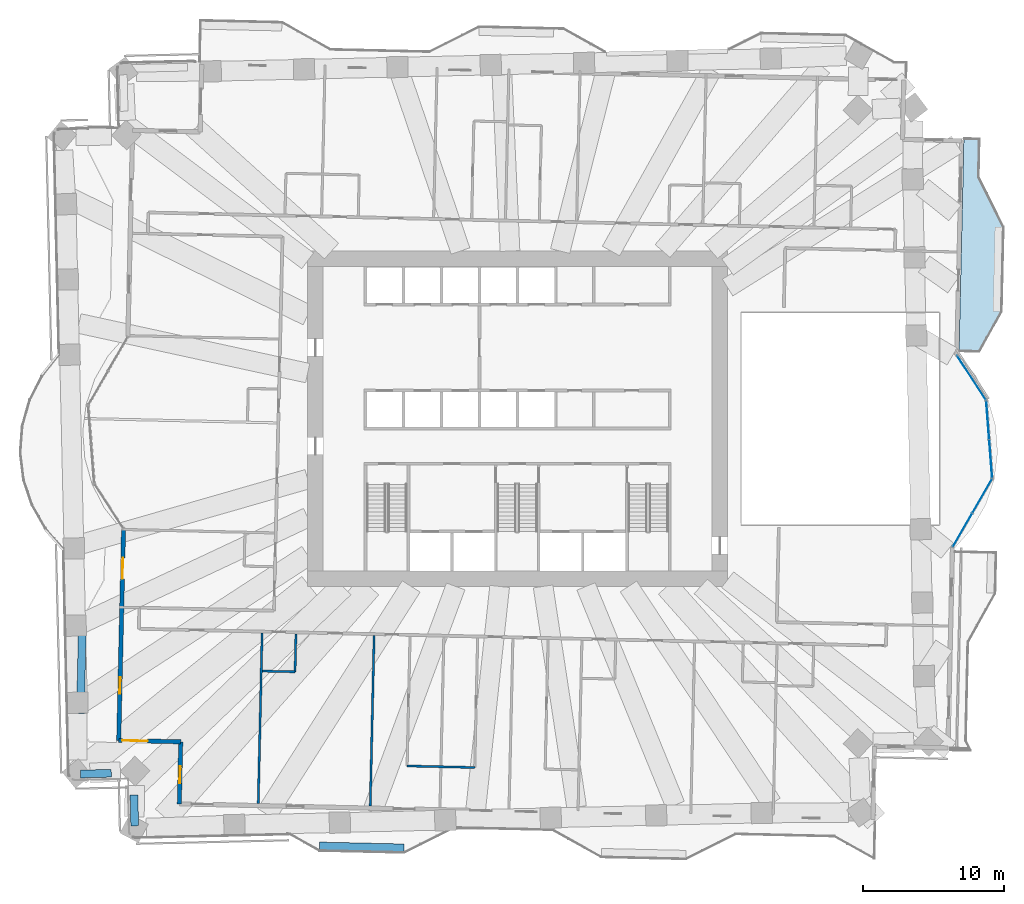
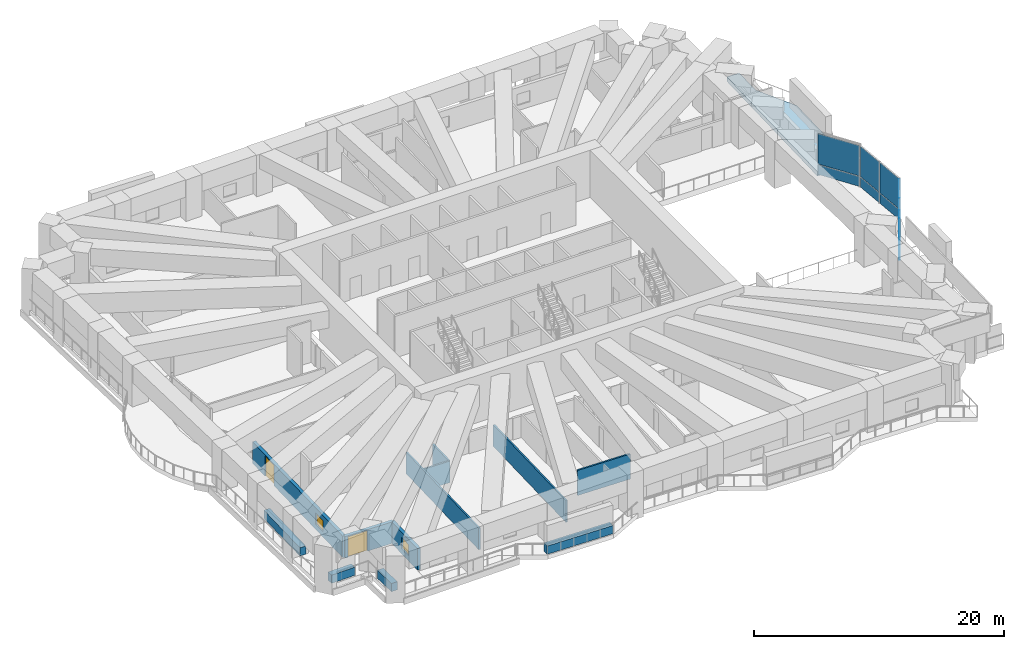
# One storey, part 8 of 20: 12 walls, 10 plates, 2 doors, 2 windows, 1 slab, 4 openings, 3 elements without a shape of their own.
"""IFC4 building model written with IfcOpenShell, lengths in metres."""

from ifc_helpers import new_model, si_unit, direction, frame, frame_2d, origin, origin_2d, place, context, subcontext, project, spatial, polyline, rectangle, outline, extrude, material, layer, layer_set, type_object, element, fill, aggregate, save


model = new_model("IFC4")

# Units and contexts
model_context = context("Model", 3, precision=1e-05, world=origin(), true_north=direction((0.0, 1.0)))
body_context = subcontext(model_context, "Body", "Model", "MODEL_VIEW")
ifc_project = project(units=[si_unit("LENGTHUNIT", "METRE"), si_unit("AREAUNIT", "SQUARE_METRE"), si_unit("VOLUMEUNIT", "CUBIC_METRE"), si_unit("PLANEANGLEUNIT", "RADIAN"), si_unit("MASSUNIT", "GRAM", prefix="KILO")], contexts=[model_context])

# Site, building, storey
site_placement = place(None, origin())
site = spatial("IfcSite", under=ifc_project, at=site_placement, CompositionType="ELEMENT")
building_placement = place(site_placement, origin())
building = spatial("IfcBuilding", under=site, at=building_placement, Name="Mangrove Gate Tower", CompositionType="ELEMENT")
storey_placement = place(building_placement, frame((0.0, 0.0, 52.10009765625)))
storey = spatial("IfcBuildingStorey", under=building, at=storey_placement, Name="L12", CompositionType="ELEMENT", Elevation=52.10009765625)

# Slab
ifc_material_1 = material(Name="Porcelain tile")
ifc_layer_1 = layer(ifc_material_1, 0.02001953125, Name="Tile finish")
ifc_material_2 = material(Name="Cement sand screed")
ifc_layer_2 = layer(ifc_material_2, 0.0400390625, Name="Screed laid to falls")
ifc_material_3 = material(Name="Bituminous waterproofing membrane")
ifc_layer_3 = layer(ifc_material_3, 0.00390625, Name="Waterproofing")
ifc_material_4 = material(Name="Concrete C40/50", Category="concrete")
ifc_layer_4 = layer(ifc_material_4, 0.340087890625, Name="Balcony structural slab")
ifc_material_5 = material(Name="Limestone", Category="masonry")
ifc_layer_5 = layer(ifc_material_5, 0.01611328125, Name="Soffit lining")
ifc_layer_set_1 = layer_set([ifc_layer_1, ifc_layer_2, ifc_layer_3, ifc_layer_4, ifc_layer_5], Name="Balcony slab 420 C40/50")
slab_type = type_object("IfcSlabType", Name="Balcony slab 420 C40/50", PredefinedType="FLOOR", material=ifc_layer_set_1)
slab_placement = place(storey_placement, frame((0.0, 0.0, -0.420166015625)))
element("IfcSlab", 1, at=slab_placement, inside=storey, type_object=slab_type, Name="BALCONY L12 E1", PredefinedType="FLOOR", context=body_context, shape_type="SweptSolid", body=[
    extrude(outline(polyline([(32.7919921875, 4.76904296875), (34.3759765625, 7.60888671875), (34.512939453125, 13.60693359375), (32.741943359375, 17.14794921875), (32.803955078125, 19.847900390625), (31.6640625, 19.873046875), (31.60302734375, 17.174072265625), (31.52294921875, 13.675048828125), (31.386962890625, 7.677001953125), (31.322021484375, 4.802978515625), (32.7919921875, 4.76904296875)])), origin(), (0.0, 0.0, 1.0), 0.420166015625),
])

# Curtain wall, plates
ifc_material_6 = material(Name="Aluminium and glass curtain wall", Category="aluminium")
curtain_wall_type = type_object("IfcCurtainWallType", Name="Sky-lounge glazing wall", PredefinedType="NOTDEFINED", material=ifc_material_6)
curtain_wall_1_placement = place(storey_placement, origin())
curtain_wall_1 = element("IfcCurtainWall", 2, at=curtain_wall_1_placement, inside=storey, type_object=curtain_wall_type, Name="Sky-lounge glazing E1f1", PredefinedType="NOTDEFINED")
ifc_material_7 = material(Name="Laminated low-e glass", Category="glass")
ifc_layer_6 = layer(ifc_material_7, 0.030029296875)
ifc_layer_set_2 = layer_set([ifc_layer_6], Name="Sky-lounge glazing panel 30")
plate_type = type_object("IfcPlateType", Name="Sky-lounge glazing panel 30", PredefinedType="CURTAIN_PANEL", material=ifc_layer_set_2)
plate_1_placement = place(storey_placement, frame((31.569091796875, -7.90234375, 0.0), z_axis=(0.0, 0.0, 1.0), x_axis=(0.500418160359, 0.865783844145, 0.0)))
plate_1 = element("IfcPlate", 3, at=plate_1_placement, type_object=plate_type, Name="CWK panel 1.1", PredefinedType="CURTAIN_PANEL", context=body_context, shape_type="SweptSolid", body=[
    extrude(rectangle(XDim=2.73095703125, YDim=0.030029296875, at=origin_2d()), origin(), (0.0, 0.0, 1.0), 0.969970703125),
])
plate_2_placement = place(storey_placement, frame((31.569091796875, -7.90234375, 1.030029296875), z_axis=(0.0, 0.0, 1.0), x_axis=(0.500418160359, 0.865783844145, 0.0)))
plate_2 = element("IfcPlate", 4, at=plate_2_placement, type_object=plate_type, Name="CWK panel 1.2", PredefinedType="CURTAIN_PANEL", context=body_context, shape_type="SweptSolid", body=[
    extrude(rectangle(XDim=2.73095703125, YDim=0.030029296875, at=origin_2d()), origin(), (0.0, 0.0, 1.0), 2.9599609375),
])
plate_3_placement = place(storey_placement, frame((32.965576171875, -5.48583984375, 0.0), z_axis=(0.0, 0.0, 1.0), x_axis=(0.500418160359, 0.865783844145, 0.0)))
plate_3 = element("IfcPlate", 5, at=plate_3_placement, type_object=plate_type, Name="CWK panel 2.1", PredefinedType="CURTAIN_PANEL", context=body_context, shape_type="SweptSolid", body=[
    extrude(rectangle(XDim=2.73095703125, YDim=0.030029296875, at=origin_2d()), origin(), (0.0, 0.0, 1.0), 0.969970703125),
])
plate_4_placement = place(storey_placement, frame((32.965576171875, -5.48583984375, 1.030029296875), z_axis=(0.0, 0.0, 1.0), x_axis=(0.500418160359, 0.865783844145, 0.0)))
plate_4 = element("IfcPlate", 6, at=plate_4_placement, type_object=plate_type, Name="CWK panel 2.2", PredefinedType="CURTAIN_PANEL", context=body_context, shape_type="SweptSolid", body=[
    extrude(rectangle(XDim=2.73095703125, YDim=0.030029296875, at=origin_2d()), origin(), (0.0, 0.0, 1.0), 2.9599609375),
])
aggregate(curtain_wall_1, [plate_1, plate_2, plate_3, plate_4])

curtain_wall_2_placement = place(storey_placement, origin())
curtain_wall_2 = element("IfcCurtainWall", 7, at=curtain_wall_2_placement, inside=storey, type_object=curtain_wall_type, Name="Sky-lounge glazing E1f2", PredefinedType="NOTDEFINED")
plate_5_placement = place(storey_placement, frame((33.570556640625, -2.84765625, 0.0), z_axis=(0.0, 0.0, 1.0), x_axis=(-0.077023348212, 0.997029289354, 0.0)))
plate_5 = element("IfcPlate", 8, at=plate_5_placement, type_object=plate_type, Name="CWK panel 1.1", PredefinedType="CURTAIN_PANEL", context=body_context, shape_type="SweptSolid", body=[
    extrude(rectangle(XDim=2.69677734375, YDim=0.030029296875, at=origin_2d()), origin(), (0.0, 0.0, 1.0), 0.969970703125),
])
plate_6_placement = place(storey_placement, frame((33.570556640625, -2.84765625, 1.030029296875), z_axis=(0.0, 0.0, 1.0), x_axis=(-0.077023348212, 0.997029289354, 0.0)))
plate_6 = element("IfcPlate", 9, at=plate_6_placement, type_object=plate_type, Name="CWK panel 1.2", PredefinedType="CURTAIN_PANEL", context=body_context, shape_type="SweptSolid", body=[
    extrude(rectangle(XDim=2.69677734375, YDim=0.030029296875, at=origin_2d()), origin(), (0.0, 0.0, 1.0), 2.9599609375),
])
plate_7_placement = place(storey_placement, frame((33.358154296875, -0.09912109375, 0.0), z_axis=(0.0, 0.0, 1.0), x_axis=(-0.077023348212, 0.997029289354, 0.0)))
plate_7 = element("IfcPlate", 10, at=plate_7_placement, type_object=plate_type, Name="CWK panel 2.1", PredefinedType="CURTAIN_PANEL", context=body_context, shape_type="SweptSolid", body=[
    extrude(rectangle(XDim=2.69677734375, YDim=0.030029296875, at=origin_2d()), origin(), (0.0, 0.0, 1.0), 0.969970703125),
])
plate_8_placement = place(storey_placement, frame((33.358154296875, -0.09912109375, 1.030029296875), z_axis=(0.0, 0.0, 1.0), x_axis=(-0.077023348212, 0.997029289354, 0.0)))
plate_8 = element("IfcPlate", 11, at=plate_8_placement, type_object=plate_type, Name="CWK panel 2.2", PredefinedType="CURTAIN_PANEL", context=body_context, shape_type="SweptSolid", body=[
    extrude(rectangle(XDim=2.69677734375, YDim=0.030029296875, at=origin_2d()), origin(), (0.0, 0.0, 1.0), 2.9599609375),
])
aggregate(curtain_wall_2, [plate_5, plate_6, plate_7, plate_8])

curtain_wall_3_placement = place(storey_placement, origin())
curtain_wall_3 = element("IfcCurtainWall", 12, at=curtain_wall_3_placement, inside=storey, type_object=curtain_wall_type, Name="Sky-lounge glazing E1f3", PredefinedType="NOTDEFINED")
plate_9_placement = place(storey_placement, frame((32.20751953125, 2.9033203125, 0.0), z_axis=(0.0, 0.0, 1.0), x_axis=(-0.546235085162, 0.837631919006, 0.0)))
plate_9 = element("IfcPlate", 13, at=plate_9_placement, type_object=plate_type, Name="CWK panel 1.1", PredefinedType="CURTAIN_PANEL", context=body_context, shape_type="SweptSolid", body=[
    extrude(rectangle(XDim=3.696044921875, YDim=0.030029296875, at=origin_2d()), origin(), (0.0, 0.0, 1.0), 0.969970703125),
])
plate_10_placement = place(storey_placement, frame((32.20751953125, 2.9033203125, 1.030029296875), z_axis=(0.0, 0.0, 1.0), x_axis=(-0.546235085162, 0.837631919006, 0.0)))
plate_10 = element("IfcPlate", 14, at=plate_10_placement, type_object=plate_type, Name="CWK panel 1.2", PredefinedType="CURTAIN_PANEL", context=body_context, shape_type="SweptSolid", body=[
    extrude(rectangle(XDim=3.696044921875, YDim=0.030029296875, at=origin_2d()), origin(), (0.0, 0.0, 1.0), 2.9599609375),
])
aggregate(curtain_wall_3, [plate_9, plate_10])

# Wall, openings, door, window
ifc_layer_7 = layer(ifc_material_5, 0.0400390625, Name="Limestone cladding")
ifc_material_8 = material(Name="Ventilated air gap")
ifc_layer_8 = layer(ifc_material_8, 0.0400390625, Name="Ventilated cavity")
ifc_material_9 = material(Name="Mineral wool insulation")
ifc_layer_9 = layer(ifc_material_9, 0.06005859375, Name="Insulation")
ifc_material_10 = material(Name="Breather membrane")
ifc_layer_10 = layer(ifc_material_10, 0.001953125, Name="Breather membrane")
ifc_material_11 = material(Name="Concrete C20/25 blockwork", Category="masonry")
ifc_layer_11 = layer(ifc_material_11, 0.14990234375, Name="Blockwork backing wall")
ifc_material_12 = material(Name="Gypsum plaster")
ifc_layer_12 = layer(ifc_material_12, 0.008056640625, Name="Internal plaster")
ifc_layer_set_3 = layer_set([ifc_layer_7, ifc_layer_8, ifc_layer_9, ifc_layer_10, ifc_layer_11, ifc_layer_12], Name="External wall 300 limestone cladding")
wall_type_1 = type_object("IfcWallType", Name="External wall 300 limestone cladding", PredefinedType="SOLIDWALL", material=ifc_layer_set_3)
wall_1_placement = place(storey_placement, frame((-27.965087890625, -7.802001953125, 0.0), z_axis=(0.0, 0.0, 1.0), x_axis=(-0.02267786199, -0.999742824218, 0.0)))
wall_1 = element("IfcWall", 15, at=wall_1_placement, inside=storey, type_object=wall_type_1, Name="WALL-L12-W10", PredefinedType="SOLIDWALL", context=body_context, shape_type="SweptSolid", body=[
    extrude(rectangle(XDim=15.02880859375, YDim=0.300048828125, at=frame_2d((7.514404296875, 0.0))), origin(), (0.0, 0.0, 1.0), 2.099853515625),
])
opening_1_placement = place(wall_1_placement, frame((2.06689453125, 0.0, 0.0)))
opening_1 = element("IfcOpeningElement", 16, at=opening_1_placement, cuts=wall_1, Name="Opening BD3", PredefinedType="OPENING", context=body_context, shape_type="SweptSolid", body=[
    extrude(rectangle(XDim=1.5, YDim=2.0, at=frame_2d((0.75, 1.0))), frame((0.0, 0.159912109375, 0.0), z_axis=(0.0, -1.0, 0.0), x_axis=(1.0, 0.0, 0.0)), (0.0, 0.0, 1.0), 0.320068359375),
])
opening_2_placement = place(wall_1_placement, frame((10.530029296875, 0.0, 0.5)))
opening_2 = element("IfcOpeningElement", 17, at=opening_2_placement, cuts=wall_1, Name="Opening W6", PredefinedType="OPENING", context=body_context, shape_type="SweptSolid", body=[
    extrude(rectangle(XDim=1.199951171875, YDim=1.10009765625, at=frame_2d((0.60009765625, 0.550048828125))), frame((0.0, 0.159912109375, 0.0), z_axis=(0.0, -1.0, 0.0), x_axis=(1.0, 0.0, 0.0)), (0.0, 0.0, 1.0), 0.320068359375),
])
ifc_material_13 = material(Name="Aluminium frame with laminated clear glass", Category="aluminium")
door_type_1 = type_object("IfcDoorType", Name="Balcony sliding door 1500x2000", OperationType="SLIDING_TO_LEFT", PredefinedType="DOOR", material=ifc_material_13)
door_1_placement = place(opening_1_placement, origin())
door_1 = element("IfcDoor", 18, at=door_1_placement, inside=storey, type_object=door_type_1, Name="DOOR-L12-W10-1", OperationType="SLIDING_TO_LEFT", OverallHeight=2.0, OverallWidth=1.5, PredefinedType="DOOR", context=body_context, shape_type="SweptSolid", body=[
    extrude(rectangle(XDim=1.5, YDim=2.0, at=frame_2d((0.75, 1.0))), frame((0.0, 0.02490234375, 0.0), z_axis=(0.0, -1.0, 0.0), x_axis=(1.0, 0.0, 0.0)), (0.0, 0.0, 1.0), 0.050048828125),
])
fill(opening_1, door_1)
ifc_material_14 = material(Name="Aluminium frame with double-glazed low-e glass", Category="aluminium")
window_type = type_object("IfcWindowType", Name="Low window 1200x1100", PartitioningType="SINGLE_PANEL", PredefinedType="WINDOW", material=ifc_material_14)
window_1_placement = place(opening_2_placement, origin())
window_1 = element("IfcWindow", 19, at=window_1_placement, inside=storey, type_object=window_type, Name="WIN-L12-W10-2", OverallHeight=1.10009765625, OverallWidth=1.199951171875, PartitioningType="SINGLE_PANEL", PredefinedType="WINDOW", context=body_context, shape_type="SweptSolid", body=[
    extrude(rectangle(XDim=1.199951171875, YDim=1.10009765625, at=frame_2d((0.60009765625, 0.550048828125))), frame((0.0, 0.030029296875, 0.0), z_axis=(0.0, -1.0, 0.0), x_axis=(1.0, 0.0, 0.0)), (0.0, 0.0, 1.0), 0.06005859375),
])
fill(opening_2, window_1)

# Wall, opening, door
wall_2_placement = place(storey_placement, frame((-28.305908203125, -22.826904296875, 0.0), z_axis=(0.0, 0.0, 1.0), x_axis=(0.999741204967, -0.022749133868, 0.0)))
wall_2 = element("IfcWall", 20, at=wall_2_placement, inside=storey, type_object=wall_type_1, Name="WALL-L12-S11", PredefinedType="SOLIDWALL", context=body_context, shape_type="SweptSolid", body=[
    extrude(rectangle(XDim=4.400146484375, YDim=0.300048828125, at=frame_2d((2.2001953125, 0.0))), origin(), (0.0, 0.0, 1.0), 2.099853515625),
])
opening_3_placement = place(wall_2_placement, frame((0.25, 0.0, 0.0)))
opening_3 = element("IfcOpeningElement", 21, at=opening_3_placement, cuts=wall_2, Name="Opening TD2", PredefinedType="OPENING", context=body_context, shape_type="SweptSolid", body=[
    extrude(rectangle(XDim=1.800048828125, YDim=2.0, at=frame_2d((0.89990234375, 1.0))), frame((0.0, 0.159912109375, 0.0), z_axis=(0.0, -1.0, 0.0), x_axis=(1.0, 0.0, 0.0)), (0.0, 0.0, 1.0), 0.320068359375),
])
ifc_material_15 = material(Name="Aluminium frame with laminated clear glass", Category="aluminium")
door_type_2 = type_object("IfcDoorType", Name="Terrace door 1800x2000", OperationType="DOUBLE_DOOR_SINGLE_SWING", PredefinedType="DOOR", material=ifc_material_15)
door_2_placement = place(opening_3_placement, origin())
door_2 = element("IfcDoor", 22, at=door_2_placement, inside=storey, type_object=door_type_2, Name="DOOR-L12-S11-1", OperationType="DOUBLE_DOOR_SINGLE_SWING", OverallHeight=2.0, OverallWidth=1.800048828125, PredefinedType="DOOR", context=body_context, shape_type="SweptSolid", body=[
    extrude(rectangle(XDim=1.800048828125, YDim=2.0, at=frame_2d((0.89990234375, 1.0))), frame((0.0, 0.02490234375, 0.0), z_axis=(0.0, -1.0, 0.0), x_axis=(1.0, 0.0, 0.0)), (0.0, 0.0, 1.0), 0.050048828125),
])
fill(opening_3, door_2)

# Wall, opening, window
wall_3_placement = place(storey_placement, frame((-23.906982421875, -22.927001953125, 0.0), z_axis=(0.0, 0.0, 1.0), x_axis=(-0.022749133868, -0.999741204967, 0.0)))
wall_3 = element("IfcWall", 23, at=wall_3_placement, inside=storey, type_object=wall_type_1, Name="WALL-L12-W12", PredefinedType="SOLIDWALL", context=body_context, shape_type="SweptSolid", body=[
    extrude(rectangle(XDim=4.400146484375, YDim=0.300048828125, at=frame_2d((2.2001953125, 0.0))), origin(), (0.0, 0.0, 1.0), 2.099853515625),
])
opening_4_placement = place(wall_3_placement, frame((1.75, 0.0, 0.5)))
opening_4 = element("IfcOpeningElement", 24, at=opening_4_placement, cuts=wall_3, Name="Opening W6", PredefinedType="OPENING", context=body_context, shape_type="SweptSolid", body=[
    extrude(rectangle(XDim=1.199951171875, YDim=1.10009765625, at=frame_2d((0.60009765625, 0.550048828125))), frame((0.0, 0.159912109375, 0.0), z_axis=(0.0, -1.0, 0.0), x_axis=(1.0, 0.0, 0.0)), (0.0, 0.0, 1.0), 0.320068359375),
])
window_2_placement = place(opening_4_placement, origin())
window_2 = element("IfcWindow", 25, at=window_2_placement, inside=storey, type_object=window_type, Name="WIN-L12-W12-1", OverallHeight=1.10009765625, OverallWidth=1.199951171875, PartitioningType="SINGLE_PANEL", PredefinedType="WINDOW", context=body_context, shape_type="SweptSolid", body=[
    extrude(rectangle(XDim=1.199951171875, YDim=1.10009765625, at=frame_2d((0.60009765625, 0.550048828125))), frame((0.0, 0.030029296875, 0.0), z_axis=(0.0, -1.0, 0.0), x_axis=(1.0, 0.0, 0.0)), (0.0, 0.0, 1.0), 0.06005859375),
])
fill(opening_4, window_2)

# Walls
ifc_material_16 = material(Name="Gypsum board on steel stud, EI 60", Category="steel")
ifc_layer_13 = layer(ifc_material_16, 0.14990234375)
ifc_layer_set_4 = layer_set([ifc_layer_13], Name="Party wall 150 EI 60")
wall_type_2 = type_object("IfcWallType", Name="Party wall 150 EI 60", PredefinedType="PARTITIONING", material=ifc_layer_set_4)
for number, where, z_axis, x_axis, name in (
    (26, (-18.406982421875, -27.302978515625, 0.0), (0.0, 0.0, 1.0), (0.02263844782, 0.9997437175, 0.0), "WALL-L12-001"),
    (27, (-10.458984375, -27.48291015625, 0.0), (0.0, 0.0, 1.0), (0.02263844782, 0.9997437175, 0.0), "WALL-L12-002"),
):
    element("IfcWall", number, at=place(storey_placement, frame(where, z_axis=z_axis, x_axis=x_axis)), inside=storey, type_object=wall_type_2, Name=name, PredefinedType="PARTITIONING", context=body_context, shape_type="SweptSolid", body=[
        extrude(rectangle(XDim=12.10009765625, YDim=0.14990234375, at=frame_2d((6.050048828125, 0.0))), origin(), (0.0, 0.0, 1.0), 2.099853515625),
    ])
wall_4_placement = place(storey_placement, frame((-7.842041015625, -24.64208984375, 0.0), z_axis=(0.0, 0.0, 1.0), x_axis=(0.999742701292, -0.022683280499, 0.0)))
element("IfcWall", 28, at=wall_4_placement, inside=storey, type_object=wall_type_2, Name="WALL-L12-009", PredefinedType="PARTITIONING", context=body_context, shape_type="SweptSolid", body=[
    extrude(rectangle(XDim=4.80029296875, YDim=0.14990234375, at=frame_2d((2.400146484375, 0.0))), origin(), (0.0, 0.0, 1.0), 2.449951171875),
])
wall_5_placement = place(storey_placement, frame((-18.116943359375, -17.906982421875, 0.0), z_axis=(0.0, 0.0, 1.0), x_axis=(0.999740478815, -0.022781023197, 0.0)))
element("IfcWall", 29, at=wall_5_placement, inside=storey, type_object=wall_type_2, Name="WALL-L12-015", PredefinedType="PARTITIONING", context=body_context, shape_type="SweptSolid", body=[
    extrude(rectangle(XDim=2.325439453125, YDim=0.14990234375, at=frame_2d((1.16259765625, 0.0))), origin(), (0.0, 0.0, 1.0), 2.099853515625),
])
wall_6_placement = place(storey_placement, frame((-15.7939453125, -17.9599609375, 0.0), z_axis=(0.0, 0.0, 1.0), x_axis=(0.022600248254, 0.99974458177, 0.0)))
element("IfcWall", 30, at=wall_6_placement, inside=storey, type_object=wall_type_2, Name="WALL-L12-016", PredefinedType="PARTITIONING", context=body_context, shape_type="SweptSolid", body=[
    extrude(rectangle(XDim=2.70068359375, YDim=0.14990234375, at=frame_2d((1.350341796875, 0.0))), origin(), (0.0, 0.0, 1.0), 2.099853515625),
])
ifc_material_17 = material(Name="Concrete C32/40", Category="concrete")
ifc_layer_14 = layer(ifc_material_17, 0.199951171875, Name="Planter trough wall")
ifc_layer_15 = layer(ifc_material_3, 0.0048828125, Name="Waterproofing")
ifc_material_18 = material(Name="Drainage board and gravel")
ifc_layer_16 = layer(ifc_material_18, 0.044921875, Name="Drainage layer")
ifc_material_19 = material(Name="Planting soil")
ifc_layer_17 = layer(ifc_material_19, 0.300048828125, Name="Growing medium")
ifc_layer_set_5 = layer_set([ifc_layer_14, ifc_layer_15, ifc_layer_16, ifc_layer_17], Name="Planter wall 550 C32/40")
wall_type_3 = type_object("IfcWallType", Name="Planter wall 550 C32/40", PredefinedType="USERDEFINED", material=ifc_layer_set_5)
wall_7_placement = place(storey_placement, frame((-31.028076171875, -20.9140625, 0.0), z_axis=(0.0, 0.0, 1.0), x_axis=(0.022665943652, 0.999743094499, 0.0)))
element("IfcWall", 31, at=wall_7_placement, inside=storey, type_object=wall_type_3, Name="PLANTER L12 W1.1", ObjectType="PLANTER", PredefinedType="USERDEFINED", context=body_context, shape_type="SweptSolid", body=[
    extrude(rectangle(XDim=5.99951171875, YDim=0.550048828125, at=frame_2d((2.999755859375, 0.0))), origin(), (0.0, 0.0, 1.0), 0.7998046875),
])
wall_8_placement = place(storey_placement, frame((-14.054931640625, -30.31689453125, 0.0), z_axis=(0.0, 0.0, 1.0), x_axis=(0.999743178102, -0.022662255828, 0.0)))
element("IfcWall", 32, at=wall_8_placement, inside=storey, type_object=wall_type_3, Name="PLANTER L12 S0.1", ObjectType="PLANTER", PredefinedType="USERDEFINED", context=body_context, shape_type="SweptSolid", body=[
    extrude(rectangle(XDim=6.00048828125, YDim=0.550048828125, at=frame_2d((3.000244140625, 0.0))), origin(), (0.0, 0.0, 1.0), 0.7998046875),
])
for number, where, z_axis, x_axis, name in (
    (33, (-27.174072265625, -28.886962890625, 0.0), (0.0, 0.0, 1.0), (-0.022320849716, 0.999750858798, 0.0), "PLANTER L12 T2.4.6"),
    (34, (-28.8359375, -25.158935546875, 0.0), (0.0, 0.0, 1.0), (-0.999738250977, -0.022878582435, 0.0), "PLANTER L12 T2.4.9"),
):
    element("IfcWall", number, at=place(storey_placement, frame(where, z_axis=z_axis, x_axis=x_axis)), inside=storey, type_object=wall_type_3, Name=name, ObjectType="PLANTER", PredefinedType="USERDEFINED", context=body_context, shape_type="SweptSolid", body=[
        extrude(rectangle(XDim=2.1875, YDim=0.550048828125, at=frame_2d((1.09375, 0.0))), origin(), (0.0, 0.0, 1.0), 0.7998046875),
    ])

save(model, "model.ifc")
